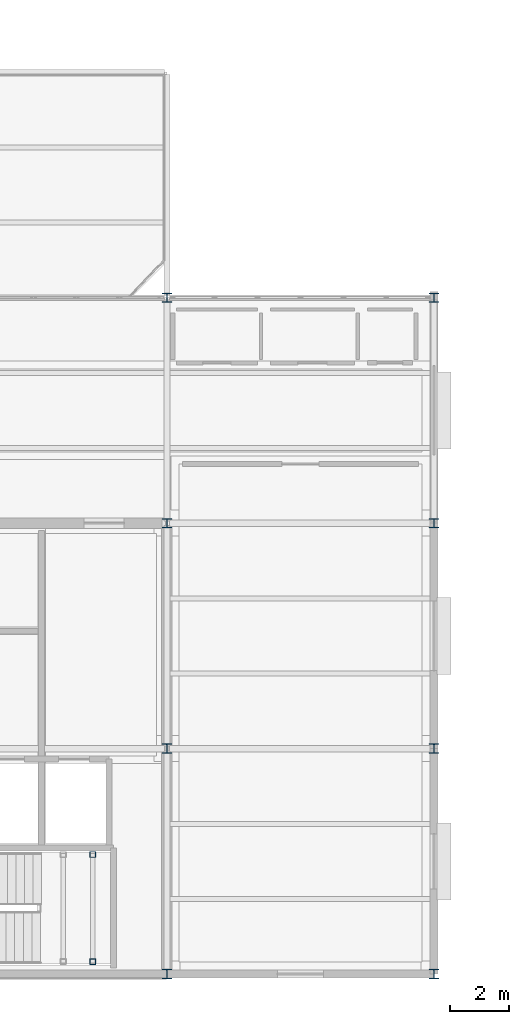
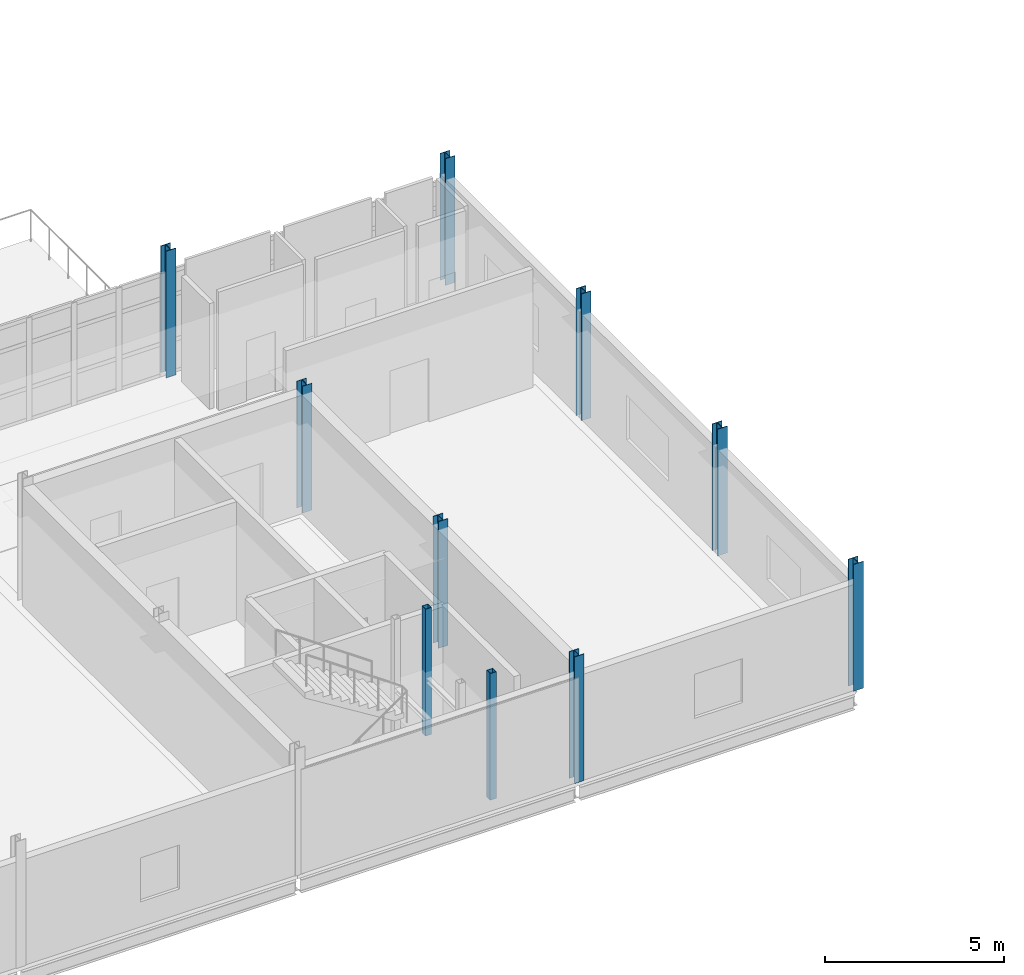
# One storey, part 8 of 166: 10 columns.
"""IFC4 building model written with IfcOpenShell, lengths in metres."""

from ifc_helpers import new_model, si_unit, direction, frame, origin, origin_2d, place, context, subcontext, project, spatial, hollow_rectangle, i_section, extrude, material, material_profile, profile_set, type_object, element, save


model = new_model("IFC4")

# Units and contexts
model_context = context("Model", 3, precision=1e-05, world=origin(), true_north=direction((0.0, 1.0)))
body_context = subcontext(model_context, "Body", "Model", "MODEL_VIEW")
ifc_project = project(units=[si_unit("LENGTHUNIT", "METRE"), si_unit("AREAUNIT", "SQUARE_METRE"), si_unit("VOLUMEUNIT", "CUBIC_METRE"), si_unit("PLANEANGLEUNIT", "RADIAN"), si_unit("MASSUNIT", "GRAM", prefix="KILO")], contexts=[model_context])

# Site, building, storey
site_placement = place(None, origin())
site = spatial("IfcSite", under=ifc_project, at=site_placement, CompositionType="ELEMENT")
building_placement = place(site_placement, origin())
building = spatial("IfcBuilding", under=site, at=building_placement, Name="Caisbarro Railhouse Central Library", CompositionType="ELEMENT")
storey_placement = place(building_placement, frame((0.0, 0.0, 9.360107421875)))
storey = spatial("IfcBuildingStorey", under=building, at=storey_placement, Name="L02", CompositionType="ELEMENT", Elevation=9.360107421875)

# Columns
ifc_material = material(Name="Steel ASTM A572 Grade 50", Category="steel")
ifc_material_profile_1 = material_profile(ifc_material, i_section(OverallWidth=0.31201171875, OverallDepth=0.31201171875, WebThickness=0.017333984375, FlangeThickness=0.017333984375, FilletRadius=0.014892578125, at=origin_2d()), Name="HP310X125.0")
ifc_profile_set_1 = profile_set([ifc_material_profile_1], Name="Steel ASTM A572 Grade 50")
column_type_1 = type_object("IfcColumnType", Name="COL-C03", PredefinedType="COLUMN", material=ifc_profile_set_1)
for number, where, z_axis, x_axis, name in (
    (1, (99.0, 0.0, 0.0), (0.0, 0.0, 1.0), (1.0, 0.0, 0.0), "C03 column L02 (99.0,0.0)"),
    (2, (99.0, 7.60009765625, 0.0), (0.0, 0.0, 1.0), (1.0, 0.0, 0.0), "C03 column L02 (99.0,7.6)"),
    (3, (99.0, 15.199951171875, 0.0), (0.0, 0.0, 1.0), (1.0, 0.0, 0.0), "C03 column L02 (99.0,15.2)"),
    (4, (99.0, 22.800048828125, 0.0), (0.0, 0.0, 1.0), (1.0, 0.0, 0.0), "C03 column L02 (99.0,22.8)"),
    (5, (108.0, 0.0, 0.0), (0.0, 0.0, 1.0), (1.0, 0.0, 0.0), "C03 column L02 (108.0,0.0)"),
    (6, (108.0, 7.60009765625, 0.0), (0.0, 0.0, 1.0), (1.0, 0.0, 0.0), "C03 column L02 (108.0,7.6)"),
    (7, (108.0, 15.199951171875, 0.0), (0.0, 0.0, 1.0), (1.0, 0.0, 0.0), "C03 column L02 (108.0,15.2)"),
    (8, (108.0, 22.800048828125, 0.0), (0.0, 0.0, 1.0), (1.0, 0.0, 0.0), "C03 column L02 (108.0,22.8)"),
):
    element("IfcColumn", number, at=place(storey_placement, frame(where, z_axis=z_axis, x_axis=x_axis)), inside=storey, type_object=column_type_1, Name=name, PredefinedType="COLUMN", context=body_context, shape_type="SweptSolid", body=[
        extrude(i_section(OverallWidth=0.31201171875, OverallDepth=0.31201171875, WebThickness=0.017333984375, FlangeThickness=0.017333984375, FilletRadius=0.014892578125, at=origin_2d()), origin(), (0.0, 0.0, 1.0), 4.31982421875),
    ])
ifc_material_profile_2 = material_profile(ifc_material, hollow_rectangle(XDim=0.199951171875, YDim=0.199951171875, WallThickness=0.012451171875, at=origin_2d()), Name="HSS200X200X12.5")
ifc_profile_set_2 = profile_set([ifc_material_profile_2], Name="Steel ASTM A572 Grade 50")
column_type_2 = type_object("IfcColumnType", Name="COL-C10", PredefinedType="COLUMN", material=ifc_profile_set_2)
for number, where, z_axis, x_axis, name in (
    (9, (96.5, 0.419921875, 0.0), (0.0, 0.0, 1.0), (1.0, 0.0, 0.0), "C10 Stair Landing Post K2 L02.3"),
    (10, (96.5, 4.030029296875, 0.0), (0.0, 0.0, 1.0), (1.0, 0.0, 0.0), "C10 Stair Landing Post K2 L02.4"),
):
    element("IfcColumn", number, at=place(storey_placement, frame(where, z_axis=z_axis, x_axis=x_axis)), inside=storey, type_object=column_type_2, Name=name, PredefinedType="COLUMN", context=body_context, shape_type="SweptSolid", body=[
        extrude(hollow_rectangle(XDim=0.199951171875, YDim=0.199951171875, WallThickness=0.012451171875, at=origin_2d()), origin(), (0.0, 0.0, 1.0), 4.31982421875),
    ])

save(model, "model.ifc")
